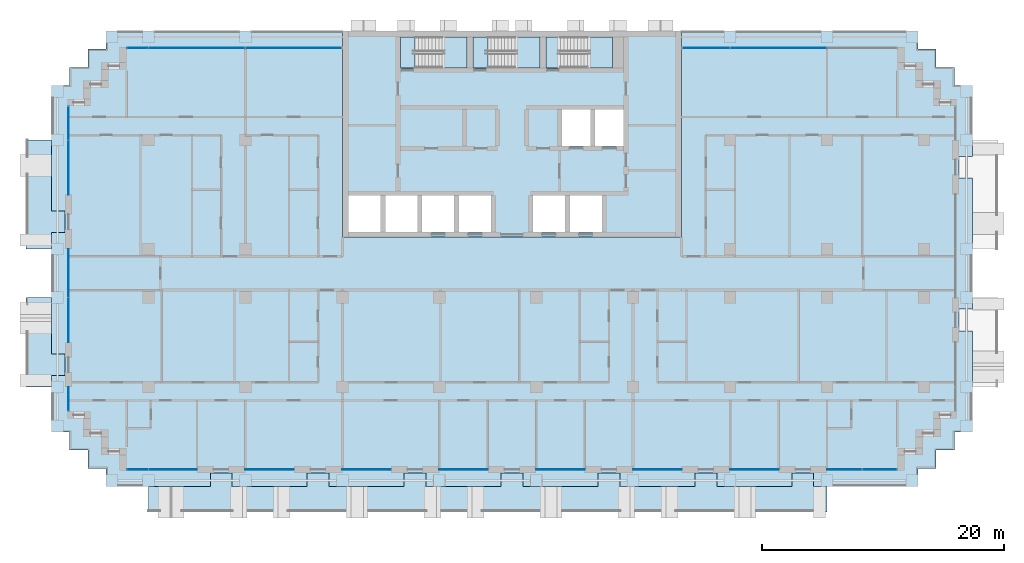
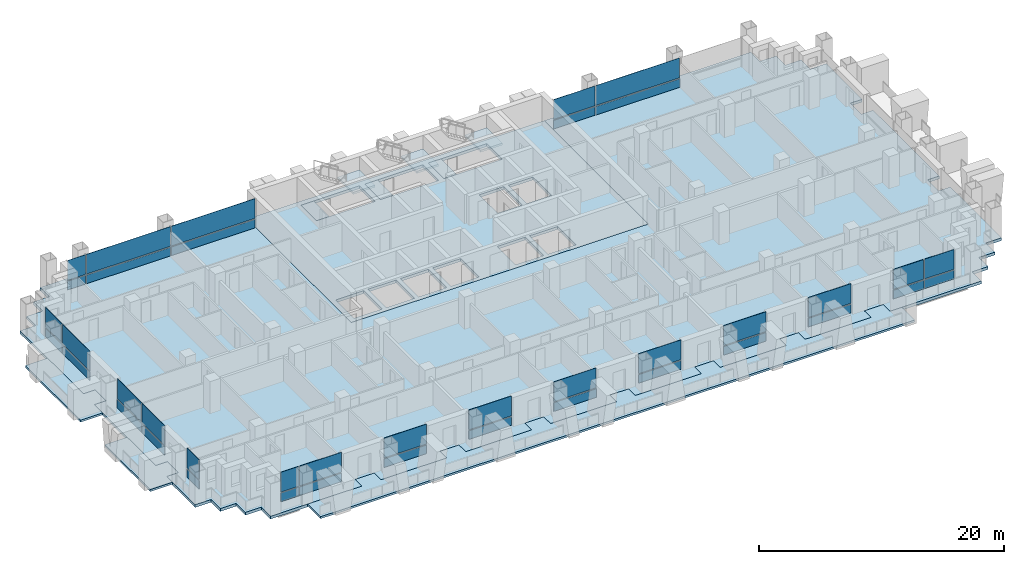
# One storey, part 7 of 18: 40 plates, 11 slabs, 16 elements without a shape of their own.
"""IFC4 building model written with IfcOpenShell, lengths in metres."""

from ifc_helpers import new_model, si_unit, direction, frame, origin, origin_2d, place, context, subcontext, project, spatial, polyline, rectangle, outline, extrude, material, layer, layer_set, type_object, element, aggregate, save


model = new_model("IFC4")

# Units and contexts
model_context = context("Model", 3, precision=1e-05, world=origin(), true_north=direction((0.0, 1.0)))
body_context = subcontext(model_context, "Body", "Model", "MODEL_VIEW")
ifc_project = project(units=[si_unit("LENGTHUNIT", "METRE"), si_unit("AREAUNIT", "SQUARE_METRE"), si_unit("VOLUMEUNIT", "CUBIC_METRE"), si_unit("PLANEANGLEUNIT", "RADIAN"), si_unit("MASSUNIT", "GRAM", prefix="KILO")], contexts=[model_context])

# Site, building, storey
site_placement = place(None, origin())
site = spatial("IfcSite", under=ifc_project, at=site_placement, CompositionType="ELEMENT")
building_placement = place(site_placement, origin())
building = spatial("IfcBuilding", under=site, at=building_placement, Name="Vidyagriha Tower", CompositionType="ELEMENT")
storey_placement = place(building_placement, frame((0.0, 0.0, 54.39990234375)))
storey = spatial("IfcBuildingStorey", under=building, at=storey_placement, Name="L14", CompositionType="ELEMENT", Elevation=54.39990234375)

# Curtain wall, plate
ifc_material_1 = material(Name="Aluminium and glass curtain wall", Category="aluminium")
curtain_wall_type = type_object("IfcCurtainWallType", Name="Dwelling skin unitised curtain wall", PredefinedType="USERDEFINED", material=ifc_material_1)
curtain_wall_1_placement = place(storey_placement, origin())
curtain_wall_1 = element("IfcCurtainWall", 1, at=curtain_wall_1_placement, inside=storey, type_object=curtain_wall_type, Name="CW1 dwelling skin", ObjectType="UNITISED", PredefinedType="USERDEFINED")
ifc_material_2 = material(Name="Glass dark ceramic-fritted spandrel", Category="glass")
ifc_layer_1 = layer(ifc_material_2, 0.0400390625)
ifc_layer_set_1 = layer_set([ifc_layer_1], Name="Glass dark ceramic-fritted spandrel")
plate_type_1 = type_object("IfcPlateType", Name="Ceramic-fritted spandrel panel", PredefinedType="CURTAIN_PANEL", material=ifc_layer_set_1)
plate_1_placement = place(storey_placement, frame((16.017578125, 18.60009765625, 0.0), z_axis=(0.0, 0.0, 1.0), x_axis=(-1.0, 0.0, 0.0)))
plate_1 = element("IfcPlate", 2, at=plate_1_placement, type_object=plate_type_1, Name="CW1 panel 3.1", PredefinedType="CURTAIN_PANEL", context=body_context, shape_type="SweptSolid", body=[
    extrude(rectangle(XDim=3.89501953125, YDim=0.0400390625, at=origin_2d()), origin(), (0.0, 0.0, 1.0), 0.85009765625),
])

# Curtain wall, plates
curtain_wall_2_placement = place(storey_placement, origin())
curtain_wall_2 = element("IfcCurtainWall", 3, at=curtain_wall_2_placement, inside=storey, type_object=curtain_wall_type, Name="CW1 dwelling skin", ObjectType="UNITISED", PredefinedType="USERDEFINED")
plate_2_placement = place(storey_placement, frame((-18.017578125, 18.60009765625, 0.0), z_axis=(0.0, 0.0, 1.0), x_axis=(-1.0, 0.0, 0.0)))
plate_2 = element("IfcPlate", 4, at=plate_2_placement, type_object=plate_type_1, Name="CW1 panel 1.1", PredefinedType="CURTAIN_PANEL", context=body_context, shape_type="SweptSolid", body=[
    extrude(rectangle(XDim=7.89501953125, YDim=0.0400390625, at=origin_2d()), origin(), (0.0, 0.0, 1.0), 0.85009765625),
])
plate_3_placement = place(storey_placement, frame((-30.882568359375, 18.60009765625, 0.0), z_axis=(0.0, 0.0, 1.0), x_axis=(-1.0, 0.0, 0.0)))
plate_3 = element("IfcPlate", 5, at=plate_3_placement, type_object=plate_type_1, Name="CW1 panel 3.1", PredefinedType="CURTAIN_PANEL", context=body_context, shape_type="SweptSolid", body=[
    extrude(rectangle(XDim=1.695068359375, YDim=0.0400390625, at=origin_2d()), origin(), (0.0, 0.0, 1.0), 0.85009765625),
])

curtain_wall_3_placement = place(storey_placement, origin())
curtain_wall_3 = element("IfcCurtainWall", 6, at=curtain_wall_3_placement, inside=storey, type_object=curtain_wall_type, Name="CW1 dwelling skin", ObjectType="UNITISED", PredefinedType="USERDEFINED")
plate_4_placement = place(storey_placement, frame((-36.60009765625, 12.382568359375, 0.0), z_axis=(0.0, 0.0, 1.0), x_axis=(0.0, -1.0, 0.0)))
plate_4 = element("IfcPlate", 7, at=plate_4_placement, type_object=plate_type_1, Name="CW1 panel 1.1", PredefinedType="CURTAIN_PANEL", context=body_context, shape_type="SweptSolid", body=[
    extrude(rectangle(XDim=2.695068359375, YDim=0.0400390625, at=origin_2d()), origin(), (0.0, 0.0, 1.0), 0.85009765625),
])
plate_5_placement = place(storey_placement, frame((-36.60009765625, 8.732421875, 0.0), z_axis=(0.0, 0.0, 1.0), x_axis=(0.0, -1.0, 0.0)))
plate_5 = element("IfcPlate", 8, at=plate_5_placement, type_object=plate_type_1, Name="CW1 panel 2.1", PredefinedType="CURTAIN_PANEL", context=body_context, shape_type="SweptSolid", body=[
    extrude(rectangle(XDim=4.465087890625, YDim=0.0400390625, at=origin_2d()), origin(), (0.0, 0.0, 1.0), 0.85009765625),
])

# Curtain wall, plate
curtain_wall_4_placement = place(storey_placement, origin())
curtain_wall_4 = element("IfcCurtainWall", 9, at=curtain_wall_4_placement, inside=storey, type_object=curtain_wall_type, Name="CW1 dwelling skin", ObjectType="UNITISED", PredefinedType="USERDEFINED")
plate_6_placement = place(storey_placement, frame((-36.60009765625, -10.364990234375, 0.0), z_axis=(0.0, 0.0, 1.0), x_axis=(0.0, -1.0, 0.0)))
plate_6 = element("IfcPlate", 10, at=plate_6_placement, type_object=plate_type_1, Name="CW1 panel 1.1", PredefinedType="CURTAIN_PANEL", context=body_context, shape_type="SweptSolid", body=[
    extrude(rectangle(XDim=1.929931640625, YDim=0.0400390625, at=origin_2d()), origin(), (0.0, 0.0, 1.0), 0.85009765625),
])

# Curtain wall, plates
curtain_wall_5_placement = place(storey_placement, origin())
curtain_wall_5 = element("IfcCurtainWall", 11, at=curtain_wall_5_placement, inside=storey, type_object=curtain_wall_type, Name="CW1 dwelling skin", ObjectType="UNITISED", PredefinedType="USERDEFINED")
plate_7_placement = place(storey_placement, frame((-30.882568359375, -16.199951171875, 0.0)))
plate_7 = element("IfcPlate", 12, at=plate_7_placement, type_object=plate_type_1, Name="CW1 panel 1.1", PredefinedType="CURTAIN_PANEL", context=body_context, shape_type="SweptSolid", body=[
    extrude(rectangle(XDim=1.695068359375, YDim=0.0400390625, at=origin_2d()), origin(), (0.0, 0.0, 1.0), 0.85009765625),
])
plate_8_placement = place(storey_placement, frame((-27.982421875, -16.199951171875, 0.0)))
plate_8 = element("IfcPlate", 13, at=plate_8_placement, type_object=plate_type_1, Name="CW1 panel 2.1", PredefinedType="CURTAIN_PANEL", context=body_context, shape_type="SweptSolid", body=[
    extrude(rectangle(XDim=3.965087890625, YDim=0.0400390625, at=origin_2d()), origin(), (0.0, 0.0, 1.0), 0.85009765625),
])

# Curtain wall, plate
curtain_wall_6_placement = place(storey_placement, origin())
curtain_wall_6 = element("IfcCurtainWall", 14, at=curtain_wall_6_placement, inside=storey, type_object=curtain_wall_type, Name="CW1 dwelling skin", ObjectType="UNITISED", PredefinedType="USERDEFINED")
plate_9_placement = place(storey_placement, frame((-12.0, -16.199951171875, 0.0)))
plate_9 = element("IfcPlate", 15, at=plate_9_placement, type_object=plate_type_1, Name="CW1 panel 1.1", PredefinedType="CURTAIN_PANEL", context=body_context, shape_type="SweptSolid", body=[
    extrude(rectangle(XDim=4.0, YDim=0.0400390625, at=origin_2d()), origin(), (0.0, 0.0, 1.0), 0.85009765625),
])

curtain_wall_7_placement = place(storey_placement, origin())
curtain_wall_7 = element("IfcCurtainWall", 16, at=curtain_wall_7_placement, inside=storey, type_object=curtain_wall_type, Name="CW1 dwelling skin", ObjectType="UNITISED", PredefinedType="USERDEFINED")
plate_10_placement = place(storey_placement, frame((4.0, -16.199951171875, 0.0)))
plate_10 = element("IfcPlate", 17, at=plate_10_placement, type_object=plate_type_1, Name="CW1 panel 1.1", PredefinedType="CURTAIN_PANEL", context=body_context, shape_type="SweptSolid", body=[
    extrude(rectangle(XDim=4.0, YDim=0.0400390625, at=origin_2d()), origin(), (0.0, 0.0, 1.0), 0.85009765625),
])

curtain_wall_8_placement = place(storey_placement, origin())
curtain_wall_8 = element("IfcCurtainWall", 18, at=curtain_wall_8_placement, inside=storey, type_object=curtain_wall_type, Name="CW1 dwelling skin", ObjectType="UNITISED", PredefinedType="USERDEFINED")
plate_11_placement = place(storey_placement, frame((20.0, -16.199951171875, 0.0)))
plate_11 = element("IfcPlate", 19, at=plate_11_placement, type_object=plate_type_1, Name="CW1 panel 1.1", PredefinedType="CURTAIN_PANEL", context=body_context, shape_type="SweptSolid", body=[
    extrude(rectangle(XDim=4.0, YDim=0.0400390625, at=origin_2d()), origin(), (0.0, 0.0, 1.0), 0.85009765625),
])

curtain_wall_9_placement = place(storey_placement, origin())
curtain_wall_9 = element("IfcCurtainWall", 20, at=curtain_wall_9_placement, inside=storey, type_object=curtain_wall_type, Name="CW1 dwelling skin", ObjectType="UNITISED", PredefinedType="USERDEFINED")
plate_12_placement = place(storey_placement, frame((30.33251953125, -16.199951171875, 0.0)))
plate_12 = element("IfcPlate", 21, at=plate_12_placement, type_object=plate_type_1, Name="CW1 panel 2.1", PredefinedType="CURTAIN_PANEL", context=body_context, shape_type="SweptSolid", body=[
    extrude(rectangle(XDim=2.794921875, YDim=0.0400390625, at=origin_2d()), origin(), (0.0, 0.0, 1.0), 0.85009765625),
])

# Slab
ifc_material_3 = material(Name="Concrete C60/75", Category="concrete")
ifc_layer_2 = layer(ifc_material_3, 0.280029296875)
ifc_layer_set_2 = layer_set([ifc_layer_2], Name="Concrete C60/75")
slab_type_1 = type_object("IfcSlabType", Name="Core floor slab 280 mm", PredefinedType="FLOOR", material=ifc_layer_set_2)
slab_1_placement = place(storey_placement, frame((0.0, 0.0, -0.27978515625)))
element("IfcSlab", 22, at=slab_1_placement, inside=storey, type_object=slab_type_1, Name="L14 core floor 1", PredefinedType="FLOOR", context=body_context, shape_type="SweptSolid", body=[
    extrude(outline(polyline([(-14.0, 3.0), (-14.0, 20.0), (14.0, 20.0), (14.0, 3.0), (-14.0, 3.0)]), holes=[polyline([(9.199951171875, 13.5), (6.86669921875, 13.5), (6.86669921875, 10.5), (9.199951171875, 10.5), (9.199951171875, 13.5)]), polyline([(4.0, 19.5), (2.800048828125, 19.5), (2.800048828125, 16.949951171875), (4.0, 16.949951171875), (8.300048828125, 16.949951171875), (8.300048828125, 19.5), (4.0, 19.5)]), polyline([(7.4111328125, 6.39990234375), (4.7666015625, 6.39990234375), (4.7666015625, 3.39990234375), (7.4111328125, 3.39990234375), (7.4111328125, 6.39990234375)]), polyline([(6.466796875, 13.5), (4.13330078125, 13.5), (4.13330078125, 10.5), (6.466796875, 10.5), (6.466796875, 13.5)]), polyline([(1.72216796875, 6.39990234375), (1.72216796875, 3.39990234375), (4.36669921875, 3.39990234375), (4.36669921875, 6.39990234375), (1.72216796875, 6.39990234375)]), polyline([(-2.0, 16.949951171875), (2.300048828125, 16.949951171875), (2.300048828125, 19.5), (-2.0, 19.5), (-3.199951171875, 19.5), (-3.199951171875, 16.949951171875), (-2.0, 16.949951171875)]), polyline([(-1.72216796875, 6.39990234375), (-4.36669921875, 6.39990234375), (-4.36669921875, 3.39990234375), (-1.72216796875, 3.39990234375), (-1.72216796875, 6.39990234375)]), polyline([(-8.0, 19.5), (-9.199951171875, 19.5), (-9.199951171875, 16.949951171875), (-8.0, 16.949951171875), (-3.699951171875, 16.949951171875), (-3.699951171875, 19.5), (-8.0, 19.5)]), polyline([(-4.7666015625, 6.39990234375), (-7.4111328125, 6.39990234375), (-7.4111328125, 3.39990234375), (-4.7666015625, 3.39990234375), (-4.7666015625, 6.39990234375)]), polyline([(-7.81103515625, 6.39990234375), (-10.45556640625, 6.39990234375), (-10.45556640625, 3.39990234375), (-7.81103515625, 3.39990234375), (-7.81103515625, 6.39990234375)]), polyline([(-13.5, 6.39990234375), (-13.5, 3.39990234375), (-10.855712890625, 3.39990234375), (-10.855712890625, 6.39990234375), (-13.5, 6.39990234375)])]), origin(), (0.0, 0.0, 1.0), 0.27978515625),
])

# Plate
ifc_material_4 = material(Name="Glass dark ceramic-fritted", Category="glass")
ifc_layer_3 = layer(ifc_material_4, 0.028076171875)
ifc_layer_set_3 = layer_set([ifc_layer_3], Name="Glass dark ceramic-fritted")
plate_type_2 = type_object("IfcPlateType", Name="Dark ceramic-fritted vision glass panel", PredefinedType="CURTAIN_PANEL", material=ifc_layer_set_3)
plate_13_placement = place(storey_placement, frame((22.0, 18.60009765625, 0.9501953125), z_axis=(0.0, 0.0, 1.0), x_axis=(-1.0, 0.0, 0.0)))
plate_13 = element("IfcPlate", 23, at=plate_13_placement, type_object=plate_type_2, Name="CW1 panel 2.2", PredefinedType="CURTAIN_PANEL", context=body_context, shape_type="SweptSolid", body=[
    extrude(rectangle(XDim=7.929931640625, YDim=0.028076171875, at=origin_2d()), origin(), (0.0, 0.0, 1.0), 1.969970703125),
])

plate_14_placement = place(storey_placement, frame((16.017578125, 18.60009765625, 0.9501953125), z_axis=(0.0, 0.0, 1.0), x_axis=(-1.0, 0.0, 0.0)))
plate_14 = element("IfcPlate", 24, at=plate_14_placement, type_object=plate_type_2, Name="CW1 panel 3.2", PredefinedType="CURTAIN_PANEL", context=body_context, shape_type="SweptSolid", body=[
    extrude(rectangle(XDim=3.89501953125, YDim=0.028076171875, at=origin_2d()), origin(), (0.0, 0.0, 1.0), 1.969970703125),
])

plate_15_placement = place(storey_placement, frame((-18.017578125, 18.60009765625, 0.9501953125), z_axis=(0.0, 0.0, 1.0), x_axis=(-1.0, 0.0, 0.0)))
plate_15 = element("IfcPlate", 25, at=plate_15_placement, type_object=plate_type_2, Name="CW1 panel 1.2", PredefinedType="CURTAIN_PANEL", context=body_context, shape_type="SweptSolid", body=[
    extrude(rectangle(XDim=7.89501953125, YDim=0.028076171875, at=origin_2d()), origin(), (0.0, 0.0, 1.0), 1.969970703125),
])

plate_16_placement = place(storey_placement, frame((-26.0, 18.60009765625, 0.9501953125), z_axis=(0.0, 0.0, 1.0), x_axis=(-1.0, 0.0, 0.0)))
plate_16 = element("IfcPlate", 26, at=plate_16_placement, type_object=plate_type_2, Name="CW1 panel 2.2", PredefinedType="CURTAIN_PANEL", context=body_context, shape_type="SweptSolid", body=[
    extrude(rectangle(XDim=7.929931640625, YDim=0.028076171875, at=origin_2d()), origin(), (0.0, 0.0, 1.0), 1.969970703125),
])

plate_17_placement = place(storey_placement, frame((-30.882568359375, 18.60009765625, 0.9501953125), z_axis=(0.0, 0.0, 1.0), x_axis=(-1.0, 0.0, 0.0)))
plate_17 = element("IfcPlate", 27, at=plate_17_placement, type_object=plate_type_2, Name="CW1 panel 3.2", PredefinedType="CURTAIN_PANEL", context=body_context, shape_type="SweptSolid", body=[
    extrude(rectangle(XDim=1.695068359375, YDim=0.028076171875, at=origin_2d()), origin(), (0.0, 0.0, 1.0), 1.969970703125),
])

plate_18_placement = place(storey_placement, frame((-36.60009765625, 12.382568359375, 0.9501953125), z_axis=(0.0, 0.0, 1.0), x_axis=(0.0, -1.0, 0.0)))
plate_18 = element("IfcPlate", 28, at=plate_18_placement, type_object=plate_type_2, Name="CW1 panel 1.2", PredefinedType="CURTAIN_PANEL", context=body_context, shape_type="SweptSolid", body=[
    extrude(rectangle(XDim=2.695068359375, YDim=0.028076171875, at=origin_2d()), origin(), (0.0, 0.0, 1.0), 1.969970703125),
])

plate_19_placement = place(storey_placement, frame((-36.60009765625, 8.732421875, 0.9501953125), z_axis=(0.0, 0.0, 1.0), x_axis=(0.0, -1.0, 0.0)))
plate_19 = element("IfcPlate", 29, at=plate_19_placement, type_object=plate_type_2, Name="CW1 panel 2.2", PredefinedType="CURTAIN_PANEL", context=body_context, shape_type="SweptSolid", body=[
    extrude(rectangle(XDim=4.465087890625, YDim=0.028076171875, at=origin_2d()), origin(), (0.0, 0.0, 1.0), 1.969970703125),
])

aggregate(curtain_wall_3, [plate_4, plate_18, plate_5, plate_19])

# Curtain wall, plates
curtain_wall_10_placement = place(storey_placement, origin())
curtain_wall_10 = element("IfcCurtainWall", 30, at=curtain_wall_10_placement, inside=storey, type_object=curtain_wall_type, Name="CW1 dwelling skin", ObjectType="UNITISED", PredefinedType="USERDEFINED")
plate_20_placement = place(storey_placement, frame((-36.60009765625, 0.017578125, 0.9501953125), z_axis=(0.0, 0.0, 1.0), x_axis=(0.0, -1.0, 0.0)))
plate_20 = element("IfcPlate", 31, at=plate_20_placement, type_object=plate_type_2, Name="CW1 panel 1.2", PredefinedType="CURTAIN_PANEL", context=body_context, shape_type="SweptSolid", body=[
    extrude(rectangle(XDim=3.965087890625, YDim=0.028076171875, at=origin_2d()), origin(), (0.0, 0.0, 1.0), 1.969970703125),
])
plate_21_placement = place(storey_placement, frame((-36.60009765625, -3.867431640625, 0.9501953125), z_axis=(0.0, 0.0, 1.0), x_axis=(0.0, -1.0, 0.0)))
plate_21 = element("IfcPlate", 32, at=plate_21_placement, type_object=plate_type_2, Name="CW1 panel 2.2", PredefinedType="CURTAIN_PANEL", context=body_context, shape_type="SweptSolid", body=[
    extrude(rectangle(XDim=3.6650390625, YDim=0.028076171875, at=origin_2d()), origin(), (0.0, 0.0, 1.0), 1.969970703125),
])

# Plate
plate_22_placement = place(storey_placement, frame((-36.60009765625, -10.364990234375, 0.9501953125), z_axis=(0.0, 0.0, 1.0), x_axis=(0.0, -1.0, 0.0)))
plate_22 = element("IfcPlate", 33, at=plate_22_placement, type_object=plate_type_2, Name="CW1 panel 1.2", PredefinedType="CURTAIN_PANEL", context=body_context, shape_type="SweptSolid", body=[
    extrude(rectangle(XDim=1.929931640625, YDim=0.028076171875, at=origin_2d()), origin(), (0.0, 0.0, 1.0), 1.969970703125),
])

aggregate(curtain_wall_4, [plate_6, plate_22])

plate_23_placement = place(storey_placement, frame((-30.882568359375, -16.199951171875, 0.9501953125)))
plate_23 = element("IfcPlate", 34, at=plate_23_placement, type_object=plate_type_2, Name="CW1 panel 1.2", PredefinedType="CURTAIN_PANEL", context=body_context, shape_type="SweptSolid", body=[
    extrude(rectangle(XDim=1.695068359375, YDim=0.028076171875, at=origin_2d()), origin(), (0.0, 0.0, 1.0), 1.969970703125),
])

plate_24_placement = place(storey_placement, frame((-27.982421875, -16.199951171875, 0.9501953125)))
plate_24 = element("IfcPlate", 35, at=plate_24_placement, type_object=plate_type_2, Name="CW1 panel 2.2", PredefinedType="CURTAIN_PANEL", context=body_context, shape_type="SweptSolid", body=[
    extrude(rectangle(XDim=3.965087890625, YDim=0.028076171875, at=origin_2d()), origin(), (0.0, 0.0, 1.0), 1.969970703125),
])

aggregate(curtain_wall_5, [plate_7, plate_23, plate_8, plate_24])

# Curtain wall, plate
curtain_wall_11_placement = place(storey_placement, origin())
curtain_wall_11 = element("IfcCurtainWall", 36, at=curtain_wall_11_placement, inside=storey, type_object=curtain_wall_type, Name="CW1 dwelling skin", ObjectType="UNITISED", PredefinedType="USERDEFINED")
plate_25_placement = place(storey_placement, frame((-20.0, -16.199951171875, 0.9501953125)))
plate_25 = element("IfcPlate", 37, at=plate_25_placement, type_object=plate_type_2, Name="CW1 panel 1.2", PredefinedType="CURTAIN_PANEL", context=body_context, shape_type="SweptSolid", body=[
    extrude(rectangle(XDim=4.0, YDim=0.028076171875, at=origin_2d()), origin(), (0.0, 0.0, 1.0), 1.969970703125),
])

# Plate
plate_26_placement = place(storey_placement, frame((-12.0, -16.199951171875, 0.9501953125)))
plate_26 = element("IfcPlate", 38, at=plate_26_placement, type_object=plate_type_2, Name="CW1 panel 1.2", PredefinedType="CURTAIN_PANEL", context=body_context, shape_type="SweptSolid", body=[
    extrude(rectangle(XDim=4.0, YDim=0.028076171875, at=origin_2d()), origin(), (0.0, 0.0, 1.0), 1.969970703125),
])

aggregate(curtain_wall_6, [plate_9, plate_26])

# Curtain wall, plate
curtain_wall_12_placement = place(storey_placement, origin())
curtain_wall_12 = element("IfcCurtainWall", 39, at=curtain_wall_12_placement, inside=storey, type_object=curtain_wall_type, Name="CW1 dwelling skin", ObjectType="UNITISED", PredefinedType="USERDEFINED")
plate_27_placement = place(storey_placement, frame((-4.0, -16.199951171875, 0.9501953125)))
plate_27 = element("IfcPlate", 40, at=plate_27_placement, type_object=plate_type_2, Name="CW1 panel 1.2", PredefinedType="CURTAIN_PANEL", context=body_context, shape_type="SweptSolid", body=[
    extrude(rectangle(XDim=4.0, YDim=0.028076171875, at=origin_2d()), origin(), (0.0, 0.0, 1.0), 1.969970703125),
])

# Plate
plate_28_placement = place(storey_placement, frame((4.0, -16.199951171875, 0.9501953125)))
plate_28 = element("IfcPlate", 41, at=plate_28_placement, type_object=plate_type_2, Name="CW1 panel 1.2", PredefinedType="CURTAIN_PANEL", context=body_context, shape_type="SweptSolid", body=[
    extrude(rectangle(XDim=4.0, YDim=0.028076171875, at=origin_2d()), origin(), (0.0, 0.0, 1.0), 1.969970703125),
])

aggregate(curtain_wall_7, [plate_10, plate_28])

# Curtain wall, plate
curtain_wall_13_placement = place(storey_placement, origin())
curtain_wall_13 = element("IfcCurtainWall", 42, at=curtain_wall_13_placement, inside=storey, type_object=curtain_wall_type, Name="CW1 dwelling skin", ObjectType="UNITISED", PredefinedType="USERDEFINED")
plate_29_placement = place(storey_placement, frame((12.0, -16.199951171875, 0.9501953125)))
plate_29 = element("IfcPlate", 43, at=plate_29_placement, type_object=plate_type_2, Name="CW1 panel 1.2", PredefinedType="CURTAIN_PANEL", context=body_context, shape_type="SweptSolid", body=[
    extrude(rectangle(XDim=4.0, YDim=0.028076171875, at=origin_2d()), origin(), (0.0, 0.0, 1.0), 1.969970703125),
])

# Plate
plate_30_placement = place(storey_placement, frame((20.0, -16.199951171875, 0.9501953125)))
plate_30 = element("IfcPlate", 44, at=plate_30_placement, type_object=plate_type_2, Name="CW1 panel 1.2", PredefinedType="CURTAIN_PANEL", context=body_context, shape_type="SweptSolid", body=[
    extrude(rectangle(XDim=4.0, YDim=0.028076171875, at=origin_2d()), origin(), (0.0, 0.0, 1.0), 1.969970703125),
])

aggregate(curtain_wall_8, [plate_11, plate_30])

plate_31_placement = place(storey_placement, frame((27.4326171875, -16.199951171875, 0.9501953125)))
plate_31 = element("IfcPlate", 45, at=plate_31_placement, type_object=plate_type_2, Name="CW1 panel 1.2", PredefinedType="CURTAIN_PANEL", context=body_context, shape_type="SweptSolid", body=[
    extrude(rectangle(XDim=2.864990234375, YDim=0.028076171875, at=origin_2d()), origin(), (0.0, 0.0, 1.0), 1.969970703125),
])

plate_32_placement = place(storey_placement, frame((30.33251953125, -16.199951171875, 0.9501953125)))
plate_32 = element("IfcPlate", 46, at=plate_32_placement, type_object=plate_type_2, Name="CW1 panel 2.2", PredefinedType="CURTAIN_PANEL", context=body_context, shape_type="SweptSolid", body=[
    extrude(rectangle(XDim=2.794921875, YDim=0.028076171875, at=origin_2d()), origin(), (0.0, 0.0, 1.0), 1.969970703125),
])

# Slabs
ifc_material_5 = material(Name="Concrete C40/50", Category="concrete")
ifc_layer_4 = layer(ifc_material_5, 0.280029296875)
ifc_layer_set_4 = layer_set([ifc_layer_4], Name="Concrete C40/50")
slab_type_2 = type_object("IfcSlabType", Name="Exit stair floor landing 280 mm", PredefinedType="LANDING", material=ifc_layer_set_4)
slab_2_placement = place(storey_placement, frame((0.0, 0.0, -0.27978515625)))
element("IfcSlab", 47, at=slab_2_placement, inside=storey, type_object=slab_type_2, Name="ST1 floor landing L14", PredefinedType="LANDING", context=body_context, shape_type="SweptSolid", body=[
    extrude(outline(polyline([(-9.199951171875, 16.949951171875), (-8.0, 16.949951171875), (-8.0, 19.5), (-9.199951171875, 19.5), (-9.199951171875, 16.949951171875)])), origin(), (0.0, 0.0, 1.0), 0.27978515625),
])
slab_3_placement = place(storey_placement, frame((0.0, 0.0, -0.27978515625)))
element("IfcSlab", 48, at=slab_3_placement, inside=storey, type_object=slab_type_2, Name="ST2 floor landing L14", PredefinedType="LANDING", context=body_context, shape_type="SweptSolid", body=[
    extrude(outline(polyline([(-3.199951171875, 16.949951171875), (-2.0, 16.949951171875), (-2.0, 19.5), (-3.199951171875, 19.5), (-3.199951171875, 16.949951171875)])), origin(), (0.0, 0.0, 1.0), 0.27978515625),
])
slab_4_placement = place(storey_placement, frame((0.0, 0.0, -0.27978515625)))
element("IfcSlab", 49, at=slab_4_placement, inside=storey, type_object=slab_type_2, Name="ST3 floor landing L14", PredefinedType="LANDING", context=body_context, shape_type="SweptSolid", body=[
    extrude(outline(polyline([(2.800048828125, 16.949951171875), (4.0, 16.949951171875), (4.0, 19.5), (2.800048828125, 19.5), (2.800048828125, 16.949951171875)])), origin(), (0.0, 0.0, 1.0), 0.27978515625),
])

# Stair, slab
ifc_material_6 = material(Name="Concrete C40/50", Category="concrete")
stair_type = type_object("IfcStairType", Name="Exit stair, half-turn, precast flights", PredefinedType="HALF_TURN_STAIR", material=ifc_material_6)
stair_1_placement = place(storey_placement, origin())
stair_1 = element("IfcStair", 50, at=stair_1_placement, inside=storey, type_object=stair_type, Name="L14 Exit Stair ST1", PredefinedType="HALF_TURN_STAIR")
ifc_material_7 = material(Name="Concrete C40/50", Category="concrete")
ifc_layer_5 = layer(ifc_material_7, 0.199951171875)
ifc_layer_set_5 = layer_set([ifc_layer_5], Name="Concrete C40/50")
slab_type_3 = type_object("IfcSlabType", Name="Exit stair landing 200 mm", PredefinedType="LANDING", material=ifc_layer_set_5)
slab_5_placement = place(storey_placement, frame((0.0, 0.0, 1.400146484375)))
slab_5 = element("IfcSlab", 51, at=slab_5_placement, type_object=slab_type_3, Name="ST1 landing 1", PredefinedType="LANDING", context=body_context, shape_type="SweptSolid", body=[
    extrude(outline(polyline([(-5.760009765625, 16.949951171875), (-3.699951171875, 16.949951171875), (-3.699951171875, 19.5), (-5.760009765625, 19.5), (-5.760009765625, 16.949951171875)])), origin(), (0.0, 0.0, 1.0), 0.199951171875),
])
aggregate(stair_1, [slab_5])

stair_2_placement = place(storey_placement, origin())
stair_2 = element("IfcStair", 52, at=stair_2_placement, inside=storey, type_object=stair_type, Name="L14 Exit Stair ST2", PredefinedType="HALF_TURN_STAIR")
slab_6_placement = place(storey_placement, frame((0.0, 0.0, 1.400146484375)))
slab_6 = element("IfcSlab", 53, at=slab_6_placement, type_object=slab_type_3, Name="ST2 landing 1", PredefinedType="LANDING", context=body_context, shape_type="SweptSolid", body=[
    extrude(outline(polyline([(0.239990234375, 16.949951171875), (2.300048828125, 16.949951171875), (2.300048828125, 19.5), (0.239990234375, 19.5), (0.239990234375, 16.949951171875)])), origin(), (0.0, 0.0, 1.0), 0.199951171875),
])
aggregate(stair_2, [slab_6])

stair_3_placement = place(storey_placement, origin())
stair_3 = element("IfcStair", 54, at=stair_3_placement, inside=storey, type_object=stair_type, Name="L14 Exit Stair ST3", PredefinedType="HALF_TURN_STAIR")
slab_7_placement = place(storey_placement, frame((0.0, 0.0, 1.400146484375)))
slab_7 = element("IfcSlab", 55, at=slab_7_placement, type_object=slab_type_3, Name="ST3 landing 1", PredefinedType="LANDING", context=body_context, shape_type="SweptSolid", body=[
    extrude(outline(polyline([(6.239990234375, 16.949951171875), (8.300048828125, 16.949951171875), (8.300048828125, 19.5), (6.239990234375, 19.5), (6.239990234375, 16.949951171875)])), origin(), (0.0, 0.0, 1.0), 0.199951171875),
])
aggregate(stair_3, [slab_7])

# Plate
ifc_material_8 = material(Name="Aluminium black anodised", Category="aluminium")
ifc_layer_6 = layer(ifc_material_8, 0.06005859375)
ifc_layer_set_6 = layer_set([ifc_layer_6], Name="Aluminium black anodised")
plate_type_3 = type_object("IfcPlateType", Name="Operable black-metal vent panel", PredefinedType="CURTAIN_PANEL", material=ifc_layer_set_6)
plate_33_placement = place(storey_placement, frame((22.0, 18.60009765625, 0.0), z_axis=(0.0, 0.0, 1.0), x_axis=(-1.0, 0.0, 0.0)))
plate_33 = element("IfcPlate", 56, at=plate_33_placement, type_object=plate_type_3, Name="CW1 panel 2.1", PredefinedType="CURTAIN_PANEL", context=body_context, shape_type="SweptSolid", body=[
    extrude(rectangle(XDim=7.929931640625, YDim=0.06005859375, at=origin_2d()), origin(), (0.0, 0.0, 1.0), 0.85009765625),
])

aggregate(curtain_wall_1, [plate_33, plate_13, plate_1, plate_14])

plate_34_placement = place(storey_placement, frame((-26.0, 18.60009765625, 0.0), z_axis=(0.0, 0.0, 1.0), x_axis=(-1.0, 0.0, 0.0)))
plate_34 = element("IfcPlate", 57, at=plate_34_placement, type_object=plate_type_3, Name="CW1 panel 2.1", PredefinedType="CURTAIN_PANEL", context=body_context, shape_type="SweptSolid", body=[
    extrude(rectangle(XDim=7.929931640625, YDim=0.06005859375, at=origin_2d()), origin(), (0.0, 0.0, 1.0), 0.85009765625),
])

aggregate(curtain_wall_2, [plate_2, plate_15, plate_34, plate_16, plate_3, plate_17])

plate_35_placement = place(storey_placement, frame((-36.60009765625, 0.017578125, 0.0), z_axis=(0.0, 0.0, 1.0), x_axis=(0.0, -1.0, 0.0)))
plate_35 = element("IfcPlate", 58, at=plate_35_placement, type_object=plate_type_3, Name="CW1 panel 1.1", PredefinedType="CURTAIN_PANEL", context=body_context, shape_type="SweptSolid", body=[
    extrude(rectangle(XDim=3.965087890625, YDim=0.06005859375, at=origin_2d()), origin(), (0.0, 0.0, 1.0), 0.85009765625),
])

plate_36_placement = place(storey_placement, frame((-36.60009765625, -3.867431640625, 0.0), z_axis=(0.0, 0.0, 1.0), x_axis=(0.0, -1.0, 0.0)))
plate_36 = element("IfcPlate", 59, at=plate_36_placement, type_object=plate_type_3, Name="CW1 panel 2.1", PredefinedType="CURTAIN_PANEL", context=body_context, shape_type="SweptSolid", body=[
    extrude(rectangle(XDim=3.6650390625, YDim=0.06005859375, at=origin_2d()), origin(), (0.0, 0.0, 1.0), 0.85009765625),
])

aggregate(curtain_wall_10, [plate_35, plate_20, plate_36, plate_21])

plate_37_placement = place(storey_placement, frame((-20.0, -16.199951171875, 0.0)))
plate_37 = element("IfcPlate", 60, at=plate_37_placement, type_object=plate_type_3, Name="CW1 panel 1.1", PredefinedType="CURTAIN_PANEL", context=body_context, shape_type="SweptSolid", body=[
    extrude(rectangle(XDim=4.0, YDim=0.06005859375, at=origin_2d()), origin(), (0.0, 0.0, 1.0), 0.85009765625),
])

aggregate(curtain_wall_11, [plate_37, plate_25])

plate_38_placement = place(storey_placement, frame((-4.0, -16.199951171875, 0.0)))
plate_38 = element("IfcPlate", 61, at=plate_38_placement, type_object=plate_type_3, Name="CW1 panel 1.1", PredefinedType="CURTAIN_PANEL", context=body_context, shape_type="SweptSolid", body=[
    extrude(rectangle(XDim=4.0, YDim=0.06005859375, at=origin_2d()), origin(), (0.0, 0.0, 1.0), 0.85009765625),
])

aggregate(curtain_wall_12, [plate_38, plate_27])

plate_39_placement = place(storey_placement, frame((12.0, -16.199951171875, 0.0)))
plate_39 = element("IfcPlate", 62, at=plate_39_placement, type_object=plate_type_3, Name="CW1 panel 1.1", PredefinedType="CURTAIN_PANEL", context=body_context, shape_type="SweptSolid", body=[
    extrude(rectangle(XDim=4.0, YDim=0.06005859375, at=origin_2d()), origin(), (0.0, 0.0, 1.0), 0.85009765625),
])

aggregate(curtain_wall_13, [plate_39, plate_29])

plate_40_placement = place(storey_placement, frame((27.4326171875, -16.199951171875, 0.0)))
plate_40 = element("IfcPlate", 63, at=plate_40_placement, type_object=plate_type_3, Name="CW1 panel 1.1", PredefinedType="CURTAIN_PANEL", context=body_context, shape_type="SweptSolid", body=[
    extrude(rectangle(XDim=2.864990234375, YDim=0.06005859375, at=origin_2d()), origin(), (0.0, 0.0, 1.0), 0.85009765625),
])

aggregate(curtain_wall_9, [plate_40, plate_31, plate_12, plate_32])

# Slabs
ifc_material_9 = material(Name="Concrete C50/60", Category="concrete")
ifc_layer_7 = layer(ifc_material_9, 0.280029296875)
ifc_layer_set_7 = layer_set([ifc_layer_7], Name="Concrete C50/60")
slab_type_4 = type_object("IfcSlabType", Name="Post-tensioned flat plate 280", PredefinedType="FLOOR", material=ifc_layer_set_7)
slab_8_placement = place(storey_placement, frame((0.0, 0.0, -0.27978515625)))
element("IfcSlab", 64, at=slab_8_placement, inside=storey, type_object=slab_type_4, Name="st-slab-L14-1", PredefinedType="FLOOR", context=body_context, shape_type="SweptSolid", body=[
    extrude(outline(polyline([(36.5, -14.60009765625), (35.0, -14.60009765625), (35.0, -16.10009765625), (33.5, -16.10009765625), (33.5, -17.60009765625), (24.89990234375, -17.60009765625), (24.89990234375, -16.5), (23.10009765625, -16.5), (23.10009765625, -17.60009765625), (16.89990234375, -17.60009765625), (16.89990234375, -16.5), (15.10009765625, -16.5), (15.10009765625, -17.60009765625), (8.89990234375, -17.60009765625), (8.89990234375, -16.5), (7.10009765625, -16.5), (7.10009765625, -17.60009765625), (0.89990234375, -17.60009765625), (0.89990234375, -16.5), (-0.89990234375, -16.5), (-0.89990234375, -17.60009765625), (-7.10009765625, -17.60009765625), (-7.10009765625, -16.5), (-8.89990234375, -16.5), (-8.89990234375, -17.60009765625), (-15.10009765625, -17.60009765625), (-15.10009765625, -16.5), (-16.89990234375, -16.5), (-16.89990234375, -17.60009765625), (-23.10009765625, -17.60009765625), (-23.10009765625, -16.5), (-24.89990234375, -16.5), (-24.89990234375, -17.60009765625), (-33.5, -17.60009765625), (-33.5, -16.10009765625), (-35.0, -16.10009765625), (-35.0, -14.60009765625), (-36.5, -14.60009765625), (-36.5, -13.10009765625), (-38.0, -13.10009765625), (-38.0, -8.449951171875), (-36.89990234375, -8.449951171875), (-36.89990234375, -6.64990234375), (-38.0, -6.64990234375), (-38.0, 3.35009765625), (-36.89990234375, 3.35009765625), (-36.89990234375, 5.14990234375), (-38.0, 5.14990234375), (-38.0, 15.5), (-36.5, 15.5), (-36.5, 17.0), (-35.0, 17.0), (-35.0, 18.5), (-33.5, 18.5), (-33.5, 20.0), (-14.0, 20.0), (-14.0, 3.0), (14.0, 3.0), (14.0, 20.0), (33.5, 20.0), (33.5, 18.5), (35.0, 18.5), (35.0, 17.0), (36.5, 17.0), (36.5, 15.5), (38.0, 15.5), (38.0, 9.64990234375), (36.89990234375, 9.64990234375), (36.89990234375, 7.85009765625), (38.0, 7.85009765625), (38.0, -2.949951171875), (36.89990234375, -2.949951171875), (36.89990234375, -4.75), (38.0, -4.75), (38.0, -13.10009765625), (36.5, -13.10009765625), (36.5, -14.60009765625)])), origin(), (0.0, 0.0, 1.0), 0.27978515625),
])
ifc_material_10 = material(Name="Precast concrete C40/50", Category="concrete")
ifc_layer_8 = layer(ifc_material_10, 0.199951171875)
ifc_layer_set_8 = layer_set([ifc_layer_8], Name="Precast concrete C40/50")
slab_type_5 = type_object("IfcSlabType", Name="Precast balcony slab 200", PredefinedType="USERDEFINED", material=ifc_layer_set_8)
slab_9_placement = place(storey_placement, frame((0.0, 0.0, -0.199951171875)))
element("IfcSlab", 65, at=slab_9_placement, inside=storey, type_object=slab_type_5, Name="Balcony slab L14 R16.1-1", ObjectType="BALCONY", PredefinedType="USERDEFINED", context=body_context, shape_type="SweptSolid", body=[
    extrude(outline(polyline([(-36.89990234375, 3.35009765625), (-36.89990234375, 5.14990234375), (-38.0, 5.14990234375), (-38.0, 11.0), (-40.10009765625, 11.0), (-40.10009765625, 2.0), (-38.0, 2.0), (-38.0, 3.35009765625), (-36.89990234375, 3.35009765625)])), origin(), (0.0, 0.0, 1.0), 0.199951171875),
])
slab_10_placement = place(storey_placement, frame((0.0, 0.0, -0.199951171875)))
element("IfcSlab", 66, at=slab_10_placement, inside=storey, type_object=slab_type_5, Name="Balcony slab L14 R16.2-2", ObjectType="BALCONY", PredefinedType="USERDEFINED", context=body_context, shape_type="SweptSolid", body=[
    extrude(outline(polyline([(-36.89990234375, -8.449951171875), (-36.89990234375, -6.64990234375), (-38.0, -6.64990234375), (-38.0, -2.0), (-40.10009765625, -2.0), (-40.10009765625, -9.39990234375), (-38.0, -9.39990234375), (-38.0, -8.449951171875), (-36.89990234375, -8.449951171875)])), origin(), (0.0, 0.0, 1.0), 0.199951171875),
])
slab_11_placement = place(storey_placement, frame((0.0, 0.0, -0.199951171875)))
element("IfcSlab", 67, at=slab_11_placement, inside=storey, type_object=slab_type_5, Name="Balcony slab L14 R23.1-7", ObjectType="BALCONY", PredefinedType="USERDEFINED", context=body_context, shape_type="SweptSolid", body=[
    extrude(outline(polyline([(-23.10009765625, -16.5), (-24.89990234375, -16.5), (-24.89990234375, -17.60009765625), (-30.0, -17.60009765625), (-30.0, -19.699951171875), (26.0, -19.699951171875), (26.0, -17.60009765625), (24.89990234375, -17.60009765625), (24.89990234375, -16.5), (23.10009765625, -16.5), (23.10009765625, -17.60009765625), (16.89990234375, -17.60009765625), (16.89990234375, -16.5), (15.10009765625, -16.5), (15.10009765625, -17.60009765625), (8.89990234375, -17.60009765625), (8.89990234375, -16.5), (7.10009765625, -16.5), (7.10009765625, -17.60009765625), (0.89990234375, -17.60009765625), (0.89990234375, -16.5), (-0.89990234375, -16.5), (-0.89990234375, -17.60009765625), (-7.10009765625, -17.60009765625), (-7.10009765625, -16.5), (-8.89990234375, -16.5), (-8.89990234375, -17.60009765625), (-15.10009765625, -17.60009765625), (-15.10009765625, -16.5), (-16.89990234375, -16.5), (-16.89990234375, -17.60009765625), (-23.10009765625, -17.60009765625), (-23.10009765625, -16.5)])), origin(), (0.0, 0.0, 1.0), 0.199951171875),
])

save(model, "model.ifc")
